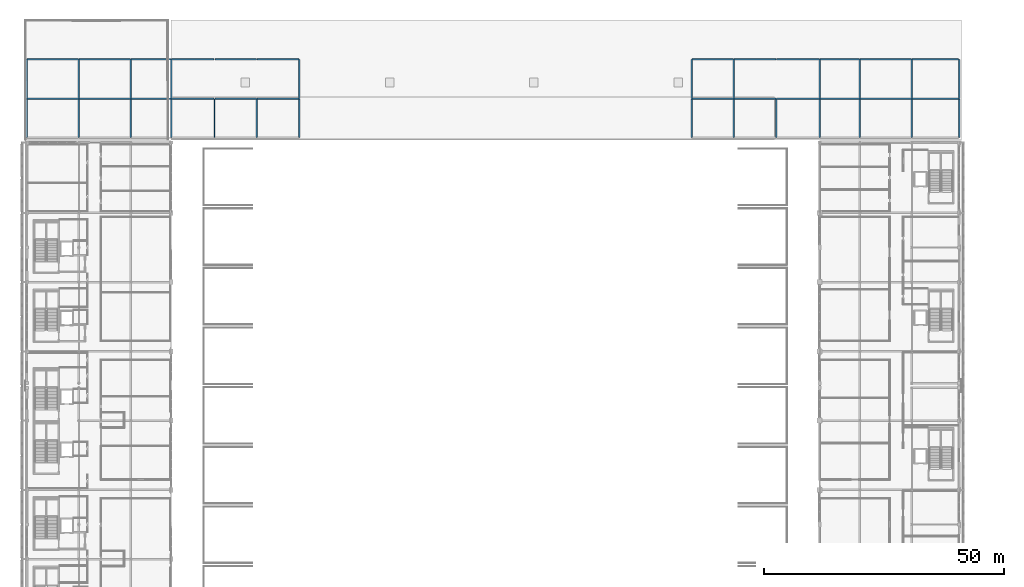
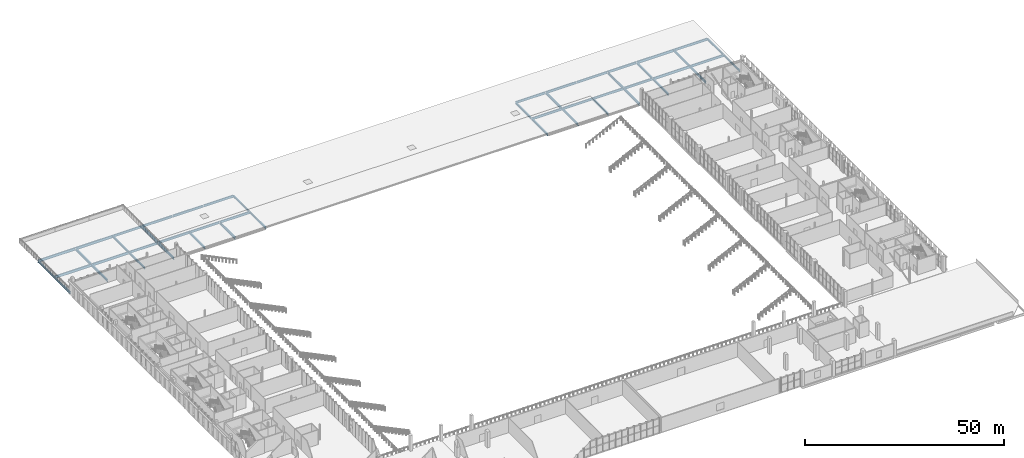
# One storey, part 51 of 104: 49 beams.
"""IFC4 building model written with IfcOpenShell, lengths in metres."""

from ifc_helpers import new_model, si_unit, direction, frame, origin, origin_2d, place, context, subcontext, project, spatial, i_section, extrude, material, material_profile, profile_set, type_object, element, save


model = new_model("IFC4")

# Units and contexts
model_context = context("Model", 3, precision=1e-05, world=origin(), true_north=direction((0.0, 1.0)))
body_context = subcontext(model_context, "Body", "Model", "MODEL_VIEW")
ifc_project = project(units=[si_unit("LENGTHUNIT", "METRE"), si_unit("AREAUNIT", "SQUARE_METRE"), si_unit("VOLUMEUNIT", "CUBIC_METRE"), si_unit("PLANEANGLEUNIT", "RADIAN"), si_unit("MASSUNIT", "GRAM", prefix="KILO")], contexts=[model_context])

# Site, building, storey
site_placement = place(None, origin())
site = spatial("IfcSite", under=ifc_project, at=site_placement, CompositionType="ELEMENT")
building_placement = place(site_placement, origin())
building = spatial("IfcBuilding", under=site, at=building_placement, Name="Koshinbarg Plaza Stadium", CompositionType="ELEMENT")
storey_placement = place(building_placement, frame((0.0, 0.0, 19.800048828125)))
storey = spatial("IfcBuildingStorey", under=building, at=storey_placement, Name="L04", CompositionType="ELEMENT", Elevation=19.800048828125)

# Beams
ifc_material = material(Name="Steel S355", Category="steel")
ifc_material_profile_1 = material_profile(ifc_material, i_section(OverallWidth=0.300048828125, OverallDepth=0.60009765625, WebThickness=0.015380859375, FlangeThickness=0.030029296875, at=origin_2d()), Name="HEB 600")
ifc_profile_set_1 = profile_set([ifc_material_profile_1], Name="Steel S355")
beam_type_1 = type_object("IfcBeamType", Name="BM-SGIR-02", PredefinedType="USERDEFINED", material=ifc_profile_set_1)
beam_1_placement = place(storey_placement, frame((24.60009765625, 127.56005859375, -0.66015625), z_axis=(0.0, 1.0, 0.0), x_axis=(-1.0, 0.0, 0.0)))
element("IfcBeam", 1, at=beam_1_placement, inside=storey, type_object=beam_type_1, Name="L04 Y girder 5/S-T", ObjectType="GIRDER", PredefinedType="USERDEFINED", context=body_context, shape_type="SweptSolid", body=[
    extrude(i_section(OverallWidth=0.300048828125, OverallDepth=0.60009765625, WebThickness=0.015380859375, FlangeThickness=0.030029296875, at=origin_2d()), origin(), (0.0, 0.0, 1.0), 7.97998046875),
])
beam_2_placement = place(storey_placement, frame((24.60009765625, 135.659912109375, -0.66015625), z_axis=(0.0, 1.0, 0.0), x_axis=(-1.0, 0.0, 0.0)))
element("IfcBeam", 2, at=beam_2_placement, inside=storey, type_object=beam_type_1, Name="L04 Y girder 5/T-U", ObjectType="GIRDER", PredefinedType="USERDEFINED", context=body_context, shape_type="SweptSolid", body=[
    extrude(i_section(OverallWidth=0.300048828125, OverallDepth=0.60009765625, WebThickness=0.015380859375, FlangeThickness=0.030029296875, at=origin_2d()), origin(), (0.0, 0.0, 1.0), 8.080078125),
])
beam_3_placement = place(storey_placement, frame((46.199951171875, 127.56005859375, -0.66015625), z_axis=(0.0, 1.0, 0.0), x_axis=(-1.0, 0.0, 0.0)))
element("IfcBeam", 3, at=beam_3_placement, inside=storey, type_object=beam_type_1, Name="L04 Y girder 7/S-T", ObjectType="GIRDER", PredefinedType="USERDEFINED", context=body_context, shape_type="SweptSolid", body=[
    extrude(i_section(OverallWidth=0.300048828125, OverallDepth=0.60009765625, WebThickness=0.015380859375, FlangeThickness=0.030029296875, at=origin_2d()), origin(), (0.0, 0.0, 1.0), 7.97998046875),
])
beam_4_placement = place(storey_placement, frame((46.199951171875, 135.659912109375, -0.66015625), z_axis=(0.0, 1.0, 0.0), x_axis=(-1.0, 0.0, 0.0)))
element("IfcBeam", 4, at=beam_4_placement, inside=storey, type_object=beam_type_1, Name="L04 Y girder 7/T-U", ObjectType="GIRDER", PredefinedType="USERDEFINED", context=body_context, shape_type="SweptSolid", body=[
    extrude(i_section(OverallWidth=0.300048828125, OverallDepth=0.60009765625, WebThickness=0.015380859375, FlangeThickness=0.030029296875, at=origin_2d()), origin(), (0.0, 0.0, 1.0), 8.080078125),
])
for number, where, z_axis, x_axis, name in (
    (5, (63.60009765625, 127.56005859375, -0.60009765625), (0.0, 1.0, 0.0), (-1.0, 0.0, 0.0), "L04 Y girder 9/S-T"),
    (6, (81.199951171875, 127.56005859375, -0.60009765625), (0.0, 1.0, 0.0), (-1.0, 0.0, 0.0), "L04 Y girder 11/S-T"),
):
    element("IfcBeam", number, at=place(storey_placement, frame(where, z_axis=z_axis, x_axis=x_axis)), inside=storey, type_object=beam_type_1, Name=name, ObjectType="GIRDER", PredefinedType="USERDEFINED", context=body_context, shape_type="SweptSolid", body=[
        extrude(i_section(OverallWidth=0.300048828125, OverallDepth=0.60009765625, WebThickness=0.015380859375, FlangeThickness=0.030029296875, at=origin_2d()), origin(), (0.0, 0.0, 1.0), 7.97998046875),
    ])
beam_5_placement = place(storey_placement, frame((81.199951171875, 135.659912109375, -0.60009765625), z_axis=(0.0, 1.0, 0.0), x_axis=(-1.0, 0.0, 0.0)))
element("IfcBeam", 7, at=beam_5_placement, inside=storey, type_object=beam_type_1, Name="L04 Y girder 11/T-U", ObjectType="GIRDER", PredefinedType="USERDEFINED", context=body_context, shape_type="SweptSolid", body=[
    extrude(i_section(OverallWidth=0.300048828125, OverallDepth=0.60009765625, WebThickness=0.015380859375, FlangeThickness=0.030029296875, at=origin_2d()), origin(), (0.0, 0.0, 1.0), 8.080078125),
])
beam_6_placement = place(storey_placement, frame((162.800048828125, 127.56005859375, -0.60009765625), z_axis=(0.0, 1.0, 0.0), x_axis=(-1.0, 0.0, 0.0)))
element("IfcBeam", 8, at=beam_6_placement, inside=storey, type_object=beam_type_1, Name="L04 Y girder 15/S-T", ObjectType="GIRDER", PredefinedType="USERDEFINED", context=body_context, shape_type="SweptSolid", body=[
    extrude(i_section(OverallWidth=0.300048828125, OverallDepth=0.60009765625, WebThickness=0.015380859375, FlangeThickness=0.030029296875, at=origin_2d()), origin(), (0.0, 0.0, 1.0), 7.97998046875),
])
beam_7_placement = place(storey_placement, frame((162.800048828125, 135.659912109375, -0.60009765625), z_axis=(0.0, 1.0, 0.0), x_axis=(-1.0, 0.0, 0.0)))
element("IfcBeam", 9, at=beam_7_placement, inside=storey, type_object=beam_type_1, Name="L04 Y girder 15/T-U", ObjectType="GIRDER", PredefinedType="USERDEFINED", context=body_context, shape_type="SweptSolid", body=[
    extrude(i_section(OverallWidth=0.300048828125, OverallDepth=0.60009765625, WebThickness=0.015380859375, FlangeThickness=0.030029296875, at=origin_2d()), origin(), (0.0, 0.0, 1.0), 8.080078125),
])
for number, where, z_axis, x_axis, name in (
    (10, (180.39990234375, 127.56005859375, -0.60009765625), (0.0, 1.0, 0.0), (-1.0, 0.0, 0.0), "L04 Y girder 17/S-T"),
    (11, (197.800048828125, 127.56005859375, -0.60009765625), (0.0, 1.0, 0.0), (-1.0, 0.0, 0.0), "L04 Y girder 19/S-T"),
):
    element("IfcBeam", number, at=place(storey_placement, frame(where, z_axis=z_axis, x_axis=x_axis)), inside=storey, type_object=beam_type_1, Name=name, ObjectType="GIRDER", PredefinedType="USERDEFINED", context=body_context, shape_type="SweptSolid", body=[
        extrude(i_section(OverallWidth=0.300048828125, OverallDepth=0.60009765625, WebThickness=0.015380859375, FlangeThickness=0.030029296875, at=origin_2d()), origin(), (0.0, 0.0, 1.0), 7.97998046875),
    ])
beam_8_placement = place(storey_placement, frame((197.800048828125, 135.659912109375, -0.60009765625), z_axis=(0.0, 1.0, 0.0), x_axis=(-1.0, 0.0, 0.0)))
element("IfcBeam", 12, at=beam_8_placement, inside=storey, type_object=beam_type_1, Name="L04 Y girder 19/T-U", ObjectType="GIRDER", PredefinedType="USERDEFINED", context=body_context, shape_type="SweptSolid", body=[
    extrude(i_section(OverallWidth=0.300048828125, OverallDepth=0.60009765625, WebThickness=0.015380859375, FlangeThickness=0.030029296875, at=origin_2d()), origin(), (0.0, 0.0, 1.0), 8.080078125),
])
beam_9_placement = place(storey_placement, frame((218.39990234375, 127.56005859375, -0.60009765625), z_axis=(0.0, 1.0, 0.0), x_axis=(-1.0, 0.0, 0.0)))
element("IfcBeam", 13, at=beam_9_placement, inside=storey, type_object=beam_type_1, Name="L04 Y girder 21/S-T", ObjectType="GIRDER", PredefinedType="USERDEFINED", context=body_context, shape_type="SweptSolid", body=[
    extrude(i_section(OverallWidth=0.300048828125, OverallDepth=0.60009765625, WebThickness=0.015380859375, FlangeThickness=0.030029296875, at=origin_2d()), origin(), (0.0, 0.0, 1.0), 7.97998046875),
])
beam_10_placement = place(storey_placement, frame((218.39990234375, 135.659912109375, -0.60009765625), z_axis=(0.0, 1.0, 0.0), x_axis=(-1.0, 0.0, 0.0)))
element("IfcBeam", 14, at=beam_10_placement, inside=storey, type_object=beam_type_1, Name="L04 Y girder 21/T-U", ObjectType="GIRDER", PredefinedType="USERDEFINED", context=body_context, shape_type="SweptSolid", body=[
    extrude(i_section(OverallWidth=0.300048828125, OverallDepth=0.60009765625, WebThickness=0.015380859375, FlangeThickness=0.030029296875, at=origin_2d()), origin(), (0.0, 0.0, 1.0), 8.080078125),
])
ifc_material_profile_2 = material_profile(ifc_material, i_section(OverallWidth=0.300048828125, OverallDepth=0.699951171875, WebThickness=0.01708984375, FlangeThickness=0.031982421875, at=origin_2d()), Name="HEB 700")
ifc_profile_set_2 = profile_set([ifc_material_profile_2], Name="Steel S355")
beam_type_2 = type_object("IfcBeamType", Name="BM-SGIR-03", PredefinedType="USERDEFINED", material=ifc_profile_set_2)
beam_11_placement = place(storey_placement, frame((46.260009765625, 135.60009765625, -0.7099609375), z_axis=(1.0, 0.0, 0.0), x_axis=(0.0, 1.0, 0.0)))
element("IfcBeam", 15, at=beam_11_placement, inside=storey, type_object=beam_type_2, Name="L04 X girder T/7-8", ObjectType="GIRDER", PredefinedType="USERDEFINED", context=body_context, shape_type="SweptSolid", body=[
    extrude(i_section(OverallWidth=0.300048828125, OverallDepth=0.699951171875, WebThickness=0.01708984375, FlangeThickness=0.031982421875, at=origin_2d()), origin(), (0.0, 0.0, 1.0), 8.280029296875),
])
beam_12_placement = place(storey_placement, frame((54.659912109375, 135.60009765625, -0.650146484375), z_axis=(1.0, 0.0, 0.0), x_axis=(0.0, 1.0, 0.0)))
element("IfcBeam", 16, at=beam_12_placement, inside=storey, type_object=beam_type_2, Name="L04 X girder T/8-9", ObjectType="GIRDER", PredefinedType="USERDEFINED", context=body_context, shape_type="SweptSolid", body=[
    extrude(i_section(OverallWidth=0.300048828125, OverallDepth=0.699951171875, WebThickness=0.01708984375, FlangeThickness=0.031982421875, at=origin_2d()), origin(), (0.0, 0.0, 1.0), 8.880126953125),
])
beam_13_placement = place(storey_placement, frame((63.659912109375, 135.60009765625, -0.650146484375), z_axis=(1.0, 0.0, 0.0), x_axis=(0.0, 1.0, 0.0)))
element("IfcBeam", 17, at=beam_13_placement, inside=storey, type_object=beam_type_2, Name="L04 X girder T/9-10", ObjectType="GIRDER", PredefinedType="USERDEFINED", context=body_context, shape_type="SweptSolid", body=[
    extrude(i_section(OverallWidth=0.300048828125, OverallDepth=0.699951171875, WebThickness=0.01708984375, FlangeThickness=0.031982421875, at=origin_2d()), origin(), (0.0, 0.0, 1.0), 8.68017578125),
])
for number, where, z_axis, x_axis, name in (
    (18, (72.4599609375, 135.60009765625, -0.650146484375), (1.0, 0.0, 0.0), (0.0, 1.0, 0.0), "L04 X girder T/10-11"),
    (19, (162.860107421875, 135.60009765625, -0.650146484375), (1.0, 0.0, 0.0), (0.0, 1.0, 0.0), "L04 X girder T/15-16"),
):
    element("IfcBeam", number, at=place(storey_placement, frame(where, z_axis=z_axis, x_axis=x_axis)), inside=storey, type_object=beam_type_2, Name=name, ObjectType="GIRDER", PredefinedType="USERDEFINED", context=body_context, shape_type="SweptSolid", body=[
        extrude(i_section(OverallWidth=0.300048828125, OverallDepth=0.699951171875, WebThickness=0.01708984375, FlangeThickness=0.031982421875, at=origin_2d()), origin(), (0.0, 0.0, 1.0), 8.679931640625),
    ])
beam_14_placement = place(storey_placement, frame((171.659912109375, 135.60009765625, -0.650146484375), z_axis=(1.0, 0.0, 0.0), x_axis=(0.0, 1.0, 0.0)))
element("IfcBeam", 20, at=beam_14_placement, inside=storey, type_object=beam_type_2, Name="L04 X girder T/16-17", ObjectType="GIRDER", PredefinedType="USERDEFINED", context=body_context, shape_type="SweptSolid", body=[
    extrude(i_section(OverallWidth=0.300048828125, OverallDepth=0.699951171875, WebThickness=0.01708984375, FlangeThickness=0.031982421875, at=origin_2d()), origin(), (0.0, 0.0, 1.0), 8.68017578125),
])
beam_15_placement = place(storey_placement, frame((180.4599609375, 135.60009765625, -0.650146484375), z_axis=(1.0, 0.0, 0.0), x_axis=(0.0, 1.0, 0.0)))
element("IfcBeam", 21, at=beam_15_placement, inside=storey, type_object=beam_type_2, Name="L04 X girder T/17-18", ObjectType="GIRDER", PredefinedType="USERDEFINED", context=body_context, shape_type="SweptSolid", body=[
    extrude(i_section(OverallWidth=0.300048828125, OverallDepth=0.699951171875, WebThickness=0.01708984375, FlangeThickness=0.031982421875, at=origin_2d()), origin(), (0.0, 0.0, 1.0), 8.880126953125),
])
beam_16_placement = place(storey_placement, frame((189.4599609375, 135.60009765625, -0.650146484375), z_axis=(1.0, 0.0, 0.0), x_axis=(0.0, 1.0, 0.0)))
element("IfcBeam", 22, at=beam_16_placement, inside=storey, type_object=beam_type_2, Name="L04 X girder T/18-19", ObjectType="GIRDER", PredefinedType="USERDEFINED", context=body_context, shape_type="SweptSolid", body=[
    extrude(i_section(OverallWidth=0.300048828125, OverallDepth=0.699951171875, WebThickness=0.01708984375, FlangeThickness=0.031982421875, at=origin_2d()), origin(), (0.0, 0.0, 1.0), 8.280029296875),
])
beam_17_placement = place(storey_placement, frame((208.659912109375, 135.60009765625, -0.650146484375), z_axis=(1.0, 0.0, 0.0), x_axis=(0.0, 1.0, 0.0)))
element("IfcBeam", 23, at=beam_17_placement, inside=storey, type_object=beam_type_2, Name="L04 X girder T/20-21", ObjectType="GIRDER", PredefinedType="USERDEFINED", context=body_context, shape_type="SweptSolid", body=[
    extrude(i_section(OverallWidth=0.300048828125, OverallDepth=0.699951171875, WebThickness=0.01708984375, FlangeThickness=0.031982421875, at=origin_2d()), origin(), (0.0, 0.0, 1.0), 9.68017578125),
])
beam_18_placement = place(storey_placement, frame((46.260009765625, 143.800048828125, -0.7099609375), z_axis=(1.0, 0.0, 0.0), x_axis=(0.0, 1.0, 0.0)))
element("IfcBeam", 24, at=beam_18_placement, inside=storey, type_object=beam_type_2, Name="L04 X girder U/7-8", ObjectType="GIRDER", PredefinedType="USERDEFINED", context=body_context, shape_type="SweptSolid", body=[
    extrude(i_section(OverallWidth=0.300048828125, OverallDepth=0.699951171875, WebThickness=0.01708984375, FlangeThickness=0.031982421875, at=origin_2d()), origin(), (0.0, 0.0, 1.0), 8.280029296875),
])
beam_19_placement = place(storey_placement, frame((54.659912109375, 143.800048828125, -0.650146484375), z_axis=(1.0, 0.0, 0.0), x_axis=(0.0, 1.0, 0.0)))
element("IfcBeam", 25, at=beam_19_placement, inside=storey, type_object=beam_type_2, Name="L04 X girder U/8-9", ObjectType="GIRDER", PredefinedType="USERDEFINED", context=body_context, shape_type="SweptSolid", body=[
    extrude(i_section(OverallWidth=0.300048828125, OverallDepth=0.699951171875, WebThickness=0.01708984375, FlangeThickness=0.031982421875, at=origin_2d()), origin(), (0.0, 0.0, 1.0), 8.880126953125),
])
beam_20_placement = place(storey_placement, frame((63.659912109375, 143.800048828125, -0.650146484375), z_axis=(1.0, 0.0, 0.0), x_axis=(0.0, 1.0, 0.0)))
element("IfcBeam", 26, at=beam_20_placement, inside=storey, type_object=beam_type_2, Name="L04 X girder U/9-10", ObjectType="GIRDER", PredefinedType="USERDEFINED", context=body_context, shape_type="SweptSolid", body=[
    extrude(i_section(OverallWidth=0.300048828125, OverallDepth=0.699951171875, WebThickness=0.01708984375, FlangeThickness=0.031982421875, at=origin_2d()), origin(), (0.0, 0.0, 1.0), 8.68017578125),
])
for number, where, z_axis, x_axis, name in (
    (27, (72.4599609375, 143.800048828125, -0.650146484375), (1.0, 0.0, 0.0), (0.0, 1.0, 0.0), "L04 X girder U/10-11"),
    (28, (162.860107421875, 143.800048828125, -0.650146484375), (1.0, 0.0, 0.0), (0.0, 1.0, 0.0), "L04 X girder U/15-16"),
):
    element("IfcBeam", number, at=place(storey_placement, frame(where, z_axis=z_axis, x_axis=x_axis)), inside=storey, type_object=beam_type_2, Name=name, ObjectType="GIRDER", PredefinedType="USERDEFINED", context=body_context, shape_type="SweptSolid", body=[
        extrude(i_section(OverallWidth=0.300048828125, OverallDepth=0.699951171875, WebThickness=0.01708984375, FlangeThickness=0.031982421875, at=origin_2d()), origin(), (0.0, 0.0, 1.0), 8.679931640625),
    ])
beam_21_placement = place(storey_placement, frame((171.659912109375, 143.800048828125, -0.650146484375), z_axis=(1.0, 0.0, 0.0), x_axis=(0.0, 1.0, 0.0)))
element("IfcBeam", 29, at=beam_21_placement, inside=storey, type_object=beam_type_2, Name="L04 X girder U/16-17", ObjectType="GIRDER", PredefinedType="USERDEFINED", context=body_context, shape_type="SweptSolid", body=[
    extrude(i_section(OverallWidth=0.300048828125, OverallDepth=0.699951171875, WebThickness=0.01708984375, FlangeThickness=0.031982421875, at=origin_2d()), origin(), (0.0, 0.0, 1.0), 8.68017578125),
])
beam_22_placement = place(storey_placement, frame((180.4599609375, 143.800048828125, -0.650146484375), z_axis=(1.0, 0.0, 0.0), x_axis=(0.0, 1.0, 0.0)))
element("IfcBeam", 30, at=beam_22_placement, inside=storey, type_object=beam_type_2, Name="L04 X girder U/17-18", ObjectType="GIRDER", PredefinedType="USERDEFINED", context=body_context, shape_type="SweptSolid", body=[
    extrude(i_section(OverallWidth=0.300048828125, OverallDepth=0.699951171875, WebThickness=0.01708984375, FlangeThickness=0.031982421875, at=origin_2d()), origin(), (0.0, 0.0, 1.0), 8.880126953125),
])
beam_23_placement = place(storey_placement, frame((189.4599609375, 143.800048828125, -0.650146484375), z_axis=(1.0, 0.0, 0.0), x_axis=(0.0, 1.0, 0.0)))
element("IfcBeam", 31, at=beam_23_placement, inside=storey, type_object=beam_type_2, Name="L04 X girder U/18-19", ObjectType="GIRDER", PredefinedType="USERDEFINED", context=body_context, shape_type="SweptSolid", body=[
    extrude(i_section(OverallWidth=0.300048828125, OverallDepth=0.699951171875, WebThickness=0.01708984375, FlangeThickness=0.031982421875, at=origin_2d()), origin(), (0.0, 0.0, 1.0), 8.280029296875),
])
beam_24_placement = place(storey_placement, frame((208.659912109375, 143.800048828125, -0.650146484375), z_axis=(1.0, 0.0, 0.0), x_axis=(0.0, 1.0, 0.0)))
element("IfcBeam", 32, at=beam_24_placement, inside=storey, type_object=beam_type_2, Name="L04 X girder U/20-21", ObjectType="GIRDER", PredefinedType="USERDEFINED", context=body_context, shape_type="SweptSolid", body=[
    extrude(i_section(OverallWidth=0.300048828125, OverallDepth=0.699951171875, WebThickness=0.01708984375, FlangeThickness=0.031982421875, at=origin_2d()), origin(), (0.0, 0.0, 1.0), 9.68017578125),
])
beam_25_placement = place(storey_placement, frame((35.39990234375, 127.56005859375, -0.7099609375), z_axis=(0.0, 1.0, 0.0), x_axis=(-1.0, 0.0, 0.0)))
element("IfcBeam", 33, at=beam_25_placement, inside=storey, type_object=beam_type_2, Name="L04 Y girder 6/S-T", ObjectType="GIRDER", PredefinedType="USERDEFINED", context=body_context, shape_type="SweptSolid", body=[
    extrude(i_section(OverallWidth=0.300048828125, OverallDepth=0.699951171875, WebThickness=0.01708984375, FlangeThickness=0.031982421875, at=origin_2d()), origin(), (0.0, 0.0, 1.0), 7.97998046875),
])
beam_26_placement = place(storey_placement, frame((35.39990234375, 135.659912109375, -0.7099609375), z_axis=(0.0, 1.0, 0.0), x_axis=(-1.0, 0.0, 0.0)))
element("IfcBeam", 34, at=beam_26_placement, inside=storey, type_object=beam_type_2, Name="L04 Y girder 6/T-U", ObjectType="GIRDER", PredefinedType="USERDEFINED", context=body_context, shape_type="SweptSolid", body=[
    extrude(i_section(OverallWidth=0.300048828125, OverallDepth=0.699951171875, WebThickness=0.01708984375, FlangeThickness=0.031982421875, at=origin_2d()), origin(), (0.0, 0.0, 1.0), 8.080078125),
])
beam_27_placement = place(storey_placement, frame((54.60009765625, 127.56005859375, -0.650146484375), z_axis=(0.0, 1.0, 0.0), x_axis=(-1.0, 0.0, 0.0)))
element("IfcBeam", 35, at=beam_27_placement, inside=storey, type_object=beam_type_2, Name="L04 Y girder 8/S-T", ObjectType="GIRDER", PredefinedType="USERDEFINED", context=body_context, shape_type="SweptSolid", body=[
    extrude(i_section(OverallWidth=0.300048828125, OverallDepth=0.699951171875, WebThickness=0.01708984375, FlangeThickness=0.031982421875, at=origin_2d()), origin(), (0.0, 0.0, 1.0), 7.97998046875),
])
beam_28_placement = place(storey_placement, frame((54.60009765625, 135.659912109375, -0.650146484375), z_axis=(0.0, 1.0, 0.0), x_axis=(-1.0, 0.0, 0.0)))
element("IfcBeam", 36, at=beam_28_placement, inside=storey, type_object=beam_type_2, Name="L04 Y girder 8/T-U", ObjectType="GIRDER", PredefinedType="USERDEFINED", context=body_context, shape_type="SweptSolid", body=[
    extrude(i_section(OverallWidth=0.300048828125, OverallDepth=0.699951171875, WebThickness=0.01708984375, FlangeThickness=0.031982421875, at=origin_2d()), origin(), (0.0, 0.0, 1.0), 8.080078125),
])
for number, where, z_axis, x_axis, name in (
    (37, (72.39990234375, 127.56005859375, -0.650146484375), (0.0, 1.0, 0.0), (-1.0, 0.0, 0.0), "L04 Y girder 10/S-T"),
    (38, (171.60009765625, 127.56005859375, -0.650146484375), (0.0, 1.0, 0.0), (-1.0, 0.0, 0.0), "L04 Y girder 16/S-T"),
):
    element("IfcBeam", number, at=place(storey_placement, frame(where, z_axis=z_axis, x_axis=x_axis)), inside=storey, type_object=beam_type_2, Name=name, ObjectType="GIRDER", PredefinedType="USERDEFINED", context=body_context, shape_type="SweptSolid", body=[
        extrude(i_section(OverallWidth=0.300048828125, OverallDepth=0.699951171875, WebThickness=0.01708984375, FlangeThickness=0.031982421875, at=origin_2d()), origin(), (0.0, 0.0, 1.0), 7.97998046875),
    ])
beam_29_placement = place(storey_placement, frame((171.60009765625, 135.659912109375, -0.650146484375), z_axis=(0.0, 1.0, 0.0), x_axis=(-1.0, 0.0, 0.0)))
element("IfcBeam", 39, at=beam_29_placement, inside=storey, type_object=beam_type_2, Name="L04 Y girder 16/T-U", ObjectType="GIRDER", PredefinedType="USERDEFINED", context=body_context, shape_type="SweptSolid", body=[
    extrude(i_section(OverallWidth=0.300048828125, OverallDepth=0.699951171875, WebThickness=0.01708984375, FlangeThickness=0.031982421875, at=origin_2d()), origin(), (0.0, 0.0, 1.0), 8.080078125),
])
beam_30_placement = place(storey_placement, frame((189.39990234375, 127.56005859375, -0.650146484375), z_axis=(0.0, 1.0, 0.0), x_axis=(-1.0, 0.0, 0.0)))
element("IfcBeam", 40, at=beam_30_placement, inside=storey, type_object=beam_type_2, Name="L04 Y girder 18/S-T", ObjectType="GIRDER", PredefinedType="USERDEFINED", context=body_context, shape_type="SweptSolid", body=[
    extrude(i_section(OverallWidth=0.300048828125, OverallDepth=0.699951171875, WebThickness=0.01708984375, FlangeThickness=0.031982421875, at=origin_2d()), origin(), (0.0, 0.0, 1.0), 7.97998046875),
])
beam_31_placement = place(storey_placement, frame((189.39990234375, 135.659912109375, -0.650146484375), z_axis=(0.0, 1.0, 0.0), x_axis=(-1.0, 0.0, 0.0)))
element("IfcBeam", 41, at=beam_31_placement, inside=storey, type_object=beam_type_2, Name="L04 Y girder 18/T-U", ObjectType="GIRDER", PredefinedType="USERDEFINED", context=body_context, shape_type="SweptSolid", body=[
    extrude(i_section(OverallWidth=0.300048828125, OverallDepth=0.699951171875, WebThickness=0.01708984375, FlangeThickness=0.031982421875, at=origin_2d()), origin(), (0.0, 0.0, 1.0), 8.080078125),
])
beam_32_placement = place(storey_placement, frame((208.60009765625, 127.56005859375, -0.650146484375), z_axis=(0.0, 1.0, 0.0), x_axis=(-1.0, 0.0, 0.0)))
element("IfcBeam", 42, at=beam_32_placement, inside=storey, type_object=beam_type_2, Name="L04 Y girder 20/S-T", ObjectType="GIRDER", PredefinedType="USERDEFINED", context=body_context, shape_type="SweptSolid", body=[
    extrude(i_section(OverallWidth=0.300048828125, OverallDepth=0.699951171875, WebThickness=0.01708984375, FlangeThickness=0.031982421875, at=origin_2d()), origin(), (0.0, 0.0, 1.0), 7.97998046875),
])
beam_33_placement = place(storey_placement, frame((208.60009765625, 135.659912109375, -0.650146484375), z_axis=(0.0, 1.0, 0.0), x_axis=(-1.0, 0.0, 0.0)))
element("IfcBeam", 43, at=beam_33_placement, inside=storey, type_object=beam_type_2, Name="L04 Y girder 20/T-U", ObjectType="GIRDER", PredefinedType="USERDEFINED", context=body_context, shape_type="SweptSolid", body=[
    extrude(i_section(OverallWidth=0.300048828125, OverallDepth=0.699951171875, WebThickness=0.01708984375, FlangeThickness=0.031982421875, at=origin_2d()), origin(), (0.0, 0.0, 1.0), 8.080078125),
])
ifc_material_profile_3 = material_profile(ifc_material, i_section(OverallWidth=0.300048828125, OverallDepth=0.800048828125, WebThickness=0.017578125, FlangeThickness=0.032958984375, at=origin_2d()), Name="HEB 800")
ifc_profile_set_3 = profile_set([ifc_material_profile_3], Name="Steel S355")
beam_type_3 = type_object("IfcBeamType", Name="BM-SGIR-04", PredefinedType="USERDEFINED", material=ifc_profile_set_3)
beam_34_placement = place(storey_placement, frame((24.659912109375, 135.60009765625, -0.760009765625), z_axis=(1.0, 0.0, 0.0), x_axis=(0.0, 1.0, 0.0)))
element("IfcBeam", 44, at=beam_34_placement, inside=storey, type_object=beam_type_3, Name="L04 X girder T/5-6", ObjectType="GIRDER", PredefinedType="USERDEFINED", context=body_context, shape_type="SweptSolid", body=[
    extrude(i_section(OverallWidth=0.300048828125, OverallDepth=0.800048828125, WebThickness=0.017578125, FlangeThickness=0.032958984375, at=origin_2d()), origin(), (0.0, 0.0, 1.0), 10.68017578125),
])
for number, where, z_axis, x_axis, name in (
    (45, (35.4599609375, 135.60009765625, -0.760009765625), (1.0, 0.0, 0.0), (0.0, 1.0, 0.0), "L04 X girder T/6-7"),
    (46, (197.860107421875, 135.60009765625, -0.699951171875), (1.0, 0.0, 0.0), (0.0, 1.0, 0.0), "L04 X girder T/19-20"),
):
    element("IfcBeam", number, at=place(storey_placement, frame(where, z_axis=z_axis, x_axis=x_axis)), inside=storey, type_object=beam_type_3, Name=name, ObjectType="GIRDER", PredefinedType="USERDEFINED", context=body_context, shape_type="SweptSolid", body=[
        extrude(i_section(OverallWidth=0.300048828125, OverallDepth=0.800048828125, WebThickness=0.017578125, FlangeThickness=0.032958984375, at=origin_2d()), origin(), (0.0, 0.0, 1.0), 10.679931640625),
    ])
beam_35_placement = place(storey_placement, frame((24.659912109375, 143.800048828125, -0.760009765625), z_axis=(1.0, 0.0, 0.0), x_axis=(0.0, 1.0, 0.0)))
element("IfcBeam", 47, at=beam_35_placement, inside=storey, type_object=beam_type_3, Name="L04 X girder U/5-6", ObjectType="GIRDER", PredefinedType="USERDEFINED", context=body_context, shape_type="SweptSolid", body=[
    extrude(i_section(OverallWidth=0.300048828125, OverallDepth=0.800048828125, WebThickness=0.017578125, FlangeThickness=0.032958984375, at=origin_2d()), origin(), (0.0, 0.0, 1.0), 10.68017578125),
])
for number, where, z_axis, x_axis, name in (
    (48, (35.4599609375, 143.800048828125, -0.760009765625), (1.0, 0.0, 0.0), (0.0, 1.0, 0.0), "L04 X girder U/6-7"),
    (49, (197.860107421875, 143.800048828125, -0.699951171875), (1.0, 0.0, 0.0), (0.0, 1.0, 0.0), "L04 X girder U/19-20"),
):
    element("IfcBeam", number, at=place(storey_placement, frame(where, z_axis=z_axis, x_axis=x_axis)), inside=storey, type_object=beam_type_3, Name=name, ObjectType="GIRDER", PredefinedType="USERDEFINED", context=body_context, shape_type="SweptSolid", body=[
        extrude(i_section(OverallWidth=0.300048828125, OverallDepth=0.800048828125, WebThickness=0.017578125, FlangeThickness=0.032958984375, at=origin_2d()), origin(), (0.0, 0.0, 1.0), 10.679931640625),
    ])

save(model, "model.ifc")
